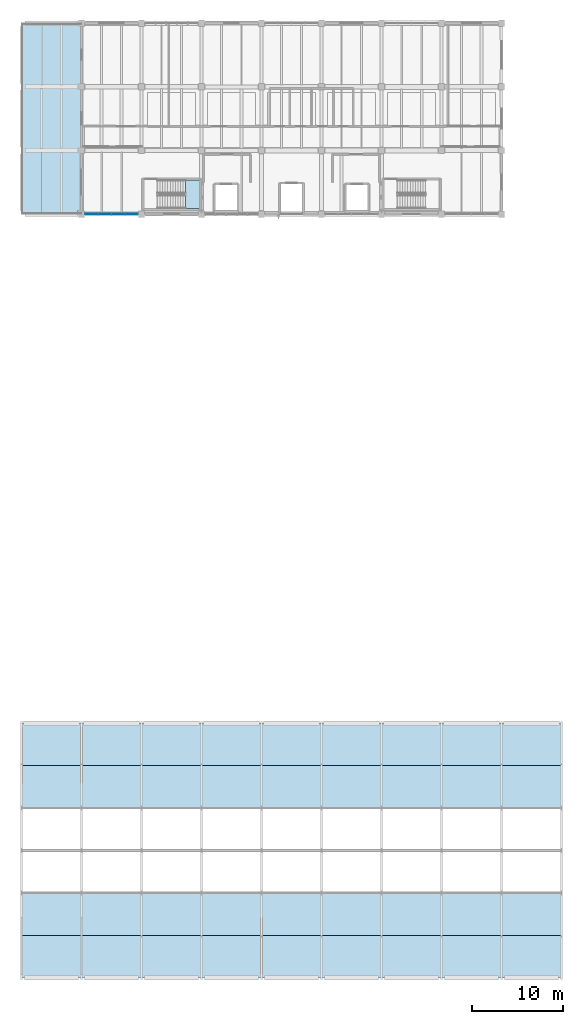
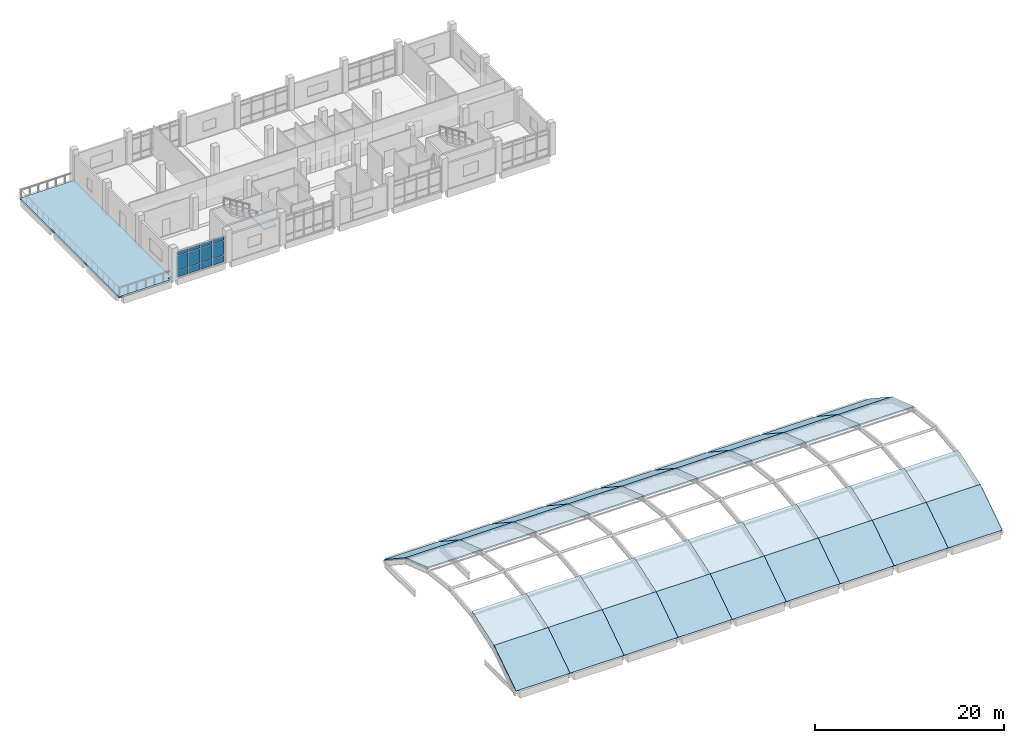
# One storey, part 8 of 20: 38 slabs, 12 plates, 3 elements without a shape of their own.
"""IFC4 building model written with IfcOpenShell, lengths in metres."""

from ifc_helpers import new_model, si_unit, direction, frame, origin, origin_2d, place, context, subcontext, project, spatial, polyline, rectangle, outline, extrude, material, layer, layer_set, type_object, element, aggregate, save


model = new_model("IFC4")

# Units and contexts
model_context = context("Model", 3, precision=1e-05, world=origin(), true_north=direction((0.0, 1.0)))
body_context = subcontext(model_context, "Body", "Model", "MODEL_VIEW")
ifc_project = project(units=[si_unit("LENGTHUNIT", "METRE"), si_unit("AREAUNIT", "SQUARE_METRE"), si_unit("VOLUMEUNIT", "CUBIC_METRE"), si_unit("PLANEANGLEUNIT", "RADIAN"), si_unit("MASSUNIT", "GRAM", prefix="KILO")], contexts=[model_context])

# Site, building, storey
site_placement = place(None, origin())
site = spatial("IfcSite", under=ifc_project, at=site_placement, CompositionType="ELEMENT")
building_placement = place(site_placement, origin())
building = spatial("IfcBuilding", under=site, at=building_placement, Name="Ciguamira Faculty of Natural Sciences", CompositionType="ELEMENT")
storey_placement = place(building_placement, frame((0.0, 0.0, 21.0)))
storey = spatial("IfcBuildingStorey", under=building, at=storey_placement, Name="L05", CompositionType="ELEMENT", Elevation=21.0)

# Curtain wall, plates
ifc_material_1 = material(Name="Anodized aluminium curtain wall", Category="aluminium")
curtain_wall_type = type_object("IfcCurtainWallType", Name="CurtainWall_CW-02", PredefinedType="USERDEFINED", material=ifc_material_1)
curtain_wall_placement = place(storey_placement, origin())
curtain_wall = element("IfcCurtainWall", 1, at=curtain_wall_placement, inside=storey, type_object=curtain_wall_type, Name="L05 unitised curtain wall 0134", ObjectType="UNITISED CURTAIN WALL", PredefinedType="USERDEFINED")
ifc_material_2 = material(Name="Low-E laminated solar glass", Category="glass")
ifc_layer_1 = layer(ifc_material_2, 0.035888671875, Name="Low-E laminated solar glass")
ifc_layer_set_1 = layer_set([ifc_layer_1], Name="Low-E laminated solar glass")
plate_type = type_object("IfcPlateType", Name="CWPanel_CWP-02", PredefinedType="CURTAIN_PANEL", material=ifc_layer_set_1)
plate_1_placement = place(storey_placement, frame((65.0048828125, 94.0, 0.070068359375), z_axis=(0.0, 0.0, 1.0), x_axis=(1.0, 0.0, 0.0)))
plate_1 = element("IfcPlate", 2, at=plate_1_placement, type_object=plate_type, Name="CW-02 panel 1.1", PredefinedType="CURTAIN_PANEL", context=body_context, shape_type="SweptSolid", body=[
    extrude(rectangle(XDim=1.3701171875, YDim=0.035888671875, at=origin_2d()), origin(), (0.0, 0.0, 1.0), 0.794921875),
])
plate_2_placement = place(storey_placement, frame((65.0048828125, 94.0, 0.93505859375), z_axis=(0.0, 0.0, 1.0), x_axis=(1.0, 0.0, 0.0)))
plate_2 = element("IfcPlate", 3, at=plate_2_placement, type_object=plate_type, Name="CW-02 panel 1.2", PredefinedType="CURTAIN_PANEL", context=body_context, shape_type="SweptSolid", body=[
    extrude(rectangle(XDim=1.3701171875, YDim=0.035888671875, at=origin_2d()), origin(), (0.0, 0.0, 1.0), 1.864990234375),
])
plate_3_placement = place(storey_placement, frame((65.0048828125, 94.0, 2.8701171875), z_axis=(0.0, 0.0, 1.0), x_axis=(1.0, 0.0, 0.0)))
plate_3 = element("IfcPlate", 4, at=plate_3_placement, type_object=plate_type, Name="CW-02 panel 1.3", PredefinedType="CURTAIN_PANEL", context=body_context, shape_type="SweptSolid", body=[
    extrude(rectangle(XDim=1.3701171875, YDim=0.035888671875, at=origin_2d()), origin(), (0.0, 0.0, 1.0), 0.445068359375),
])
plate_4_placement = place(storey_placement, frame((66.46240234375, 94.0, 0.070068359375), z_axis=(0.0, 0.0, 1.0), x_axis=(1.0, 0.0, 0.0)))
plate_4 = element("IfcPlate", 5, at=plate_4_placement, type_object=plate_type, Name="CW-02 panel 2.1", PredefinedType="CURTAIN_PANEL", context=body_context, shape_type="SweptSolid", body=[
    extrude(rectangle(XDim=1.405029296875, YDim=0.035888671875, at=origin_2d()), origin(), (0.0, 0.0, 1.0), 0.794921875),
])
plate_5_placement = place(storey_placement, frame((66.46240234375, 94.0, 0.93505859375), z_axis=(0.0, 0.0, 1.0), x_axis=(1.0, 0.0, 0.0)))
plate_5 = element("IfcPlate", 6, at=plate_5_placement, type_object=plate_type, Name="CW-02 panel 2.2", PredefinedType="CURTAIN_PANEL", context=body_context, shape_type="SweptSolid", body=[
    extrude(rectangle(XDim=1.405029296875, YDim=0.035888671875, at=origin_2d()), origin(), (0.0, 0.0, 1.0), 1.864990234375),
])
plate_6_placement = place(storey_placement, frame((66.46240234375, 94.0, 2.8701171875), z_axis=(0.0, 0.0, 1.0), x_axis=(1.0, 0.0, 0.0)))
plate_6 = element("IfcPlate", 7, at=plate_6_placement, type_object=plate_type, Name="CW-02 panel 2.3", PredefinedType="CURTAIN_PANEL", context=body_context, shape_type="SweptSolid", body=[
    extrude(rectangle(XDim=1.405029296875, YDim=0.035888671875, at=origin_2d()), origin(), (0.0, 0.0, 1.0), 0.445068359375),
])
plate_7_placement = place(storey_placement, frame((67.9375, 94.0, 0.070068359375), z_axis=(0.0, 0.0, 1.0), x_axis=(1.0, 0.0, 0.0)))
plate_7 = element("IfcPlate", 8, at=plate_7_placement, type_object=plate_type, Name="CW-02 panel 3.1", PredefinedType="CURTAIN_PANEL", context=body_context, shape_type="SweptSolid", body=[
    extrude(rectangle(XDim=1.405029296875, YDim=0.035888671875, at=origin_2d()), origin(), (0.0, 0.0, 1.0), 0.794921875),
])
plate_8_placement = place(storey_placement, frame((67.9375, 94.0, 0.93505859375), z_axis=(0.0, 0.0, 1.0), x_axis=(1.0, 0.0, 0.0)))
plate_8 = element("IfcPlate", 9, at=plate_8_placement, type_object=plate_type, Name="CW-02 panel 3.2", PredefinedType="CURTAIN_PANEL", context=body_context, shape_type="SweptSolid", body=[
    extrude(rectangle(XDim=1.405029296875, YDim=0.035888671875, at=origin_2d()), origin(), (0.0, 0.0, 1.0), 1.864990234375),
])
plate_9_placement = place(storey_placement, frame((67.9375, 94.0, 2.8701171875), z_axis=(0.0, 0.0, 1.0), x_axis=(1.0, 0.0, 0.0)))
plate_9 = element("IfcPlate", 10, at=plate_9_placement, type_object=plate_type, Name="CW-02 panel 3.3", PredefinedType="CURTAIN_PANEL", context=body_context, shape_type="SweptSolid", body=[
    extrude(rectangle(XDim=1.405029296875, YDim=0.035888671875, at=origin_2d()), origin(), (0.0, 0.0, 1.0), 0.445068359375),
])
plate_10_placement = place(storey_placement, frame((69.39501953125, 94.0, 0.070068359375), z_axis=(0.0, 0.0, 1.0), x_axis=(1.0, 0.0, 0.0)))
plate_10 = element("IfcPlate", 11, at=plate_10_placement, type_object=plate_type, Name="CW-02 panel 4.1", PredefinedType="CURTAIN_PANEL", context=body_context, shape_type="SweptSolid", body=[
    extrude(rectangle(XDim=1.3701171875, YDim=0.035888671875, at=origin_2d()), origin(), (0.0, 0.0, 1.0), 0.794921875),
])
plate_11_placement = place(storey_placement, frame((69.39501953125, 94.0, 0.93505859375), z_axis=(0.0, 0.0, 1.0), x_axis=(1.0, 0.0, 0.0)))
plate_11 = element("IfcPlate", 12, at=plate_11_placement, type_object=plate_type, Name="CW-02 panel 4.2", PredefinedType="CURTAIN_PANEL", context=body_context, shape_type="SweptSolid", body=[
    extrude(rectangle(XDim=1.3701171875, YDim=0.035888671875, at=origin_2d()), origin(), (0.0, 0.0, 1.0), 1.864990234375),
])
plate_12_placement = place(storey_placement, frame((69.39501953125, 94.0, 2.8701171875), z_axis=(0.0, 0.0, 1.0), x_axis=(1.0, 0.0, 0.0)))
plate_12 = element("IfcPlate", 13, at=plate_12_placement, type_object=plate_type, Name="CW-02 panel 4.3", PredefinedType="CURTAIN_PANEL", context=body_context, shape_type="SweptSolid", body=[
    extrude(rectangle(XDim=1.3701171875, YDim=0.035888671875, at=origin_2d()), origin(), (0.0, 0.0, 1.0), 0.445068359375),
])
aggregate(curtain_wall, [plate_1, plate_2, plate_3, plate_4, plate_5, plate_6, plate_7, plate_8, plate_9, plate_10, plate_11, plate_12])

# Roof, slabs
ifc_material_3 = material(Name="Concrete C40/50", Category="concrete")
roof_type = type_object("IfcRoofType", Name="RoofSys_RF-SHL", PredefinedType="FREEFORM", material=ifc_material_3)
roof_placement = place(storey_placement, origin())
roof = element("IfcRoof", 14, at=roof_placement, inside=storey, type_object=roof_type, Name="Atrium Curved Clerestory Shell Roof", PredefinedType="FREEFORM")
ifc_layer_2 = layer(ifc_material_3, 0.159912109375, Name="Concrete C40/50")
ifc_layer_set_2 = layer_set([ifc_layer_2], Name="Concrete C40/50")
slab_type_1 = type_object("IfcSlabType", Name="Slab_SR-02_160", PredefinedType="ROOF", material=ifc_layer_set_2)
slab_1_placement = place(storey_placement, frame((57.300048828125, 10.0, 0.0), z_axis=(0.0, -0.552302591485, 0.833643717327), x_axis=(1.0, 0.0, 0.0)))
slab_1 = element("IfcSlab", 15, at=slab_1_placement, type_object=slab_type_1, Name="V3 atrium curved shell strip 01-S01", PredefinedType="ROOF", context=body_context, shape_type="SweptSolid", body=[
    extrude(outline(polyline([(0.0, 0.0), (6.599853515625, 0.0), (6.599853515625, 5.5980126160336035), (0.0, 5.5980126160336035), (0.0, 0.0)])), origin(), (0.0, 0.0, -1.0), 0.159912109375),
])
slab_2_placement = place(storey_placement, frame((57.300048828125, 14.666748046875, 3.091796875), z_axis=(0.0, -0.320046727777, 0.947401758516), x_axis=(1.0, 0.0, 0.0)))
slab_2 = element("IfcSlab", 16, at=slab_2_placement, type_object=slab_type_1, Name="V3 atrium curved shell strip 01-S02", PredefinedType="ROOF", context=body_context, shape_type="SweptSolid", body=[
    extrude(outline(polyline([(0.0, 0.0), (6.599853515625, 0.0), (6.599853515625, 4.925580794319133), (0.0, 4.925580794319133), (0.0, 0.0)])), origin(), (0.0, 0.0, -1.0), 0.159912109375),
])
slab_3_placement = place(storey_placement, frame((57.300048828125, 28.666748046875, 4.668212890625), z_axis=(0.0, 0.320046727777, 0.947401758516), x_axis=(1.0, 0.0, 0.0)))
slab_3 = element("IfcSlab", 17, at=slab_3_placement, type_object=slab_type_1, Name="V3 atrium curved shell strip 01-S05", PredefinedType="ROOF", context=body_context, shape_type="SweptSolid", body=[
    extrude(outline(polyline([(0.0, 0.0), (6.599853515625, 0.0), (6.599853515625, 4.925580794319133), (0.0, 4.925580794319133), (0.0, 0.0)])), origin(), (0.0, 0.0, -1.0), 0.159912109375),
])
slab_4_placement = place(storey_placement, frame((57.300048828125, 33.333251953125, 3.091796875), z_axis=(0.0, 0.552302591485, 0.833643717327), x_axis=(1.0, 0.0, 0.0)))
slab_4 = element("IfcSlab", 18, at=slab_4_placement, type_object=slab_type_1, Name="V3 atrium curved shell strip 01-S06", PredefinedType="ROOF", context=body_context, shape_type="SweptSolid", body=[
    extrude(outline(polyline([(0.0, 0.0), (6.599853515625, 0.0), (6.599853515625, 5.5980126160336035), (0.0, 5.5980126160336035), (0.0, 0.0)])), origin(), (0.0, 0.0, -1.0), 0.159912109375),
])
slab_5_placement = place(storey_placement, frame((63.89990234375, 10.0, 0.0), z_axis=(0.0, -0.552302591485, 0.833643717327), x_axis=(1.0, 0.0, 0.0)))
slab_5 = element("IfcSlab", 19, at=slab_5_placement, type_object=slab_type_1, Name="V3 atrium curved shell strip 02-S01", PredefinedType="ROOF", context=body_context, shape_type="SweptSolid", body=[
    extrude(outline(polyline([(0.0, 0.0), (6.60009765625, 0.0), (6.60009765625, 5.598012616033604), (0.0, 5.598012616033604), (0.0, 0.0)])), origin(), (0.0, 0.0, -1.0), 0.159912109375),
])
slab_6_placement = place(storey_placement, frame((63.89990234375, 14.666748046875, 3.091796875), z_axis=(0.0, -0.320046727777, 0.947401758516), x_axis=(1.0, 0.0, 0.0)))
slab_6 = element("IfcSlab", 20, at=slab_6_placement, type_object=slab_type_1, Name="V3 atrium curved shell strip 02-S02", PredefinedType="ROOF", context=body_context, shape_type="SweptSolid", body=[
    extrude(outline(polyline([(0.0, 0.0), (6.60009765625, 0.0), (6.60009765625, 4.925580794319134), (0.0, 4.925580794319134), (0.0, 0.0)])), origin(), (0.0, 0.0, -1.0), 0.159912109375),
])
slab_7_placement = place(storey_placement, frame((63.89990234375, 28.666748046875, 4.668212890625), z_axis=(0.0, 0.320046727777, 0.947401758516), x_axis=(1.0, 0.0, 0.0)))
slab_7 = element("IfcSlab", 21, at=slab_7_placement, type_object=slab_type_1, Name="V3 atrium curved shell strip 02-S05", PredefinedType="ROOF", context=body_context, shape_type="SweptSolid", body=[
    extrude(outline(polyline([(0.0, 0.0), (6.60009765625, 0.0), (6.60009765625, 4.925580794319134), (0.0, 4.925580794319134), (0.0, 0.0)])), origin(), (0.0, 0.0, -1.0), 0.159912109375),
])
slab_8_placement = place(storey_placement, frame((63.89990234375, 33.333251953125, 3.091796875), z_axis=(0.0, 0.552302591485, 0.833643717327), x_axis=(1.0, 0.0, 0.0)))
slab_8 = element("IfcSlab", 22, at=slab_8_placement, type_object=slab_type_1, Name="V3 atrium curved shell strip 02-S06", PredefinedType="ROOF", context=body_context, shape_type="SweptSolid", body=[
    extrude(outline(polyline([(0.0, 0.0), (6.60009765625, 0.0), (6.60009765625, 5.598012616033604), (0.0, 5.598012616033604), (0.0, 0.0)])), origin(), (0.0, 0.0, -1.0), 0.159912109375),
])
slab_9_placement = place(storey_placement, frame((70.5, 10.0, 0.0), z_axis=(0.0, -0.552302591485, 0.833643717327), x_axis=(1.0, 0.0, 0.0)))
slab_9 = element("IfcSlab", 23, at=slab_9_placement, type_object=slab_type_1, Name="V3 atrium curved shell strip 03-S01", PredefinedType="ROOF", context=body_context, shape_type="SweptSolid", body=[
    extrude(outline(polyline([(0.0, 0.0), (6.60009765625, 0.0), (6.60009765625, 5.598012616033604), (0.0, 5.598012616033604), (0.0, 0.0)])), origin(), (0.0, 0.0, -1.0), 0.159912109375),
])
slab_10_placement = place(storey_placement, frame((70.5, 14.666748046875, 3.091796875), z_axis=(0.0, -0.320046727777, 0.947401758516), x_axis=(1.0, 0.0, 0.0)))
slab_10 = element("IfcSlab", 24, at=slab_10_placement, type_object=slab_type_1, Name="V3 atrium curved shell strip 03-S02", PredefinedType="ROOF", context=body_context, shape_type="SweptSolid", body=[
    extrude(outline(polyline([(0.0, 0.0), (6.60009765625, 0.0), (6.60009765625, 4.925580794319134), (0.0, 4.925580794319134), (0.0, 0.0)])), origin(), (0.0, 0.0, -1.0), 0.159912109375),
])
slab_11_placement = place(storey_placement, frame((70.5, 28.666748046875, 4.668212890625), z_axis=(0.0, 0.320046727777, 0.947401758516), x_axis=(1.0, 0.0, 0.0)))
slab_11 = element("IfcSlab", 25, at=slab_11_placement, type_object=slab_type_1, Name="V3 atrium curved shell strip 03-S05", PredefinedType="ROOF", context=body_context, shape_type="SweptSolid", body=[
    extrude(outline(polyline([(0.0, 0.0), (6.60009765625, 0.0), (6.60009765625, 4.925580794319134), (0.0, 4.925580794319134), (0.0, 0.0)])), origin(), (0.0, 0.0, -1.0), 0.159912109375),
])
slab_12_placement = place(storey_placement, frame((70.5, 33.333251953125, 3.091796875), z_axis=(0.0, 0.552302591485, 0.833643717327), x_axis=(1.0, 0.0, 0.0)))
slab_12 = element("IfcSlab", 26, at=slab_12_placement, type_object=slab_type_1, Name="V3 atrium curved shell strip 03-S06", PredefinedType="ROOF", context=body_context, shape_type="SweptSolid", body=[
    extrude(outline(polyline([(0.0, 0.0), (6.60009765625, 0.0), (6.60009765625, 5.598012616033604), (0.0, 5.598012616033604), (0.0, 0.0)])), origin(), (0.0, 0.0, -1.0), 0.159912109375),
])
slab_13_placement = place(storey_placement, frame((77.10009765625, 10.0, 0.0), z_axis=(0.0, -0.552302591485, 0.833643717327), x_axis=(1.0, 0.0, 0.0)))
slab_13 = element("IfcSlab", 27, at=slab_13_placement, type_object=slab_type_1, Name="V3 atrium curved shell strip 04-S01", PredefinedType="ROOF", context=body_context, shape_type="SweptSolid", body=[
    extrude(outline(polyline([(0.0, 0.0), (6.599853515625, 0.0), (6.599853515625, 5.5980126160336035), (0.0, 5.5980126160336035), (0.0, 0.0)])), origin(), (0.0, 0.0, -1.0), 0.159912109375),
])
slab_14_placement = place(storey_placement, frame((77.10009765625, 14.666748046875, 3.091796875), z_axis=(0.0, -0.320046727777, 0.947401758516), x_axis=(1.0, 0.0, 0.0)))
slab_14 = element("IfcSlab", 28, at=slab_14_placement, type_object=slab_type_1, Name="V3 atrium curved shell strip 04-S02", PredefinedType="ROOF", context=body_context, shape_type="SweptSolid", body=[
    extrude(outline(polyline([(0.0, 0.0), (6.599853515625, 0.0), (6.599853515625, 4.925580794319133), (0.0, 4.925580794319133), (0.0, 0.0)])), origin(), (0.0, 0.0, -1.0), 0.159912109375),
])
slab_15_placement = place(storey_placement, frame((77.10009765625, 28.666748046875, 4.668212890625), z_axis=(0.0, 0.320046727777, 0.947401758516), x_axis=(1.0, 0.0, 0.0)))
slab_15 = element("IfcSlab", 29, at=slab_15_placement, type_object=slab_type_1, Name="V3 atrium curved shell strip 04-S05", PredefinedType="ROOF", context=body_context, shape_type="SweptSolid", body=[
    extrude(outline(polyline([(0.0, 0.0), (6.599853515625, 0.0), (6.599853515625, 4.925580794319133), (0.0, 4.925580794319133), (0.0, 0.0)])), origin(), (0.0, 0.0, -1.0), 0.159912109375),
])
slab_16_placement = place(storey_placement, frame((77.10009765625, 33.333251953125, 3.091796875), z_axis=(0.0, 0.552302591485, 0.833643717327), x_axis=(1.0, 0.0, 0.0)))
slab_16 = element("IfcSlab", 30, at=slab_16_placement, type_object=slab_type_1, Name="V3 atrium curved shell strip 04-S06", PredefinedType="ROOF", context=body_context, shape_type="SweptSolid", body=[
    extrude(outline(polyline([(0.0, 0.0), (6.599853515625, 0.0), (6.599853515625, 5.5980126160336035), (0.0, 5.5980126160336035), (0.0, 0.0)])), origin(), (0.0, 0.0, -1.0), 0.159912109375),
])
slab_17_placement = place(storey_placement, frame((83.699951171875, 10.0, 0.0), z_axis=(0.0, -0.552302591485, 0.833643717327), x_axis=(1.0, 0.0, 0.0)))
slab_17 = element("IfcSlab", 31, at=slab_17_placement, type_object=slab_type_1, Name="V3 atrium curved shell strip 05-S01", PredefinedType="ROOF", context=body_context, shape_type="SweptSolid", body=[
    extrude(outline(polyline([(0.0, 0.0), (6.60009765625, 0.0), (6.60009765625, 5.598012616033604), (0.0, 5.598012616033604), (0.0, 0.0)])), origin(), (0.0, 0.0, -1.0), 0.159912109375),
])
slab_18_placement = place(storey_placement, frame((83.699951171875, 14.666748046875, 3.091796875), z_axis=(0.0, -0.320046727777, 0.947401758516), x_axis=(1.0, 0.0, 0.0)))
slab_18 = element("IfcSlab", 32, at=slab_18_placement, type_object=slab_type_1, Name="V3 atrium curved shell strip 05-S02", PredefinedType="ROOF", context=body_context, shape_type="SweptSolid", body=[
    extrude(outline(polyline([(0.0, 0.0), (6.60009765625, 0.0), (6.60009765625, 4.925580794319134), (0.0, 4.925580794319134), (0.0, 0.0)])), origin(), (0.0, 0.0, -1.0), 0.159912109375),
])
slab_19_placement = place(storey_placement, frame((83.699951171875, 28.666748046875, 4.668212890625), z_axis=(0.0, 0.320046727777, 0.947401758516), x_axis=(1.0, 0.0, 0.0)))
slab_19 = element("IfcSlab", 33, at=slab_19_placement, type_object=slab_type_1, Name="V3 atrium curved shell strip 05-S05", PredefinedType="ROOF", context=body_context, shape_type="SweptSolid", body=[
    extrude(outline(polyline([(0.0, 0.0), (6.60009765625, 0.0), (6.60009765625, 4.925580794319134), (0.0, 4.925580794319134), (0.0, 0.0)])), origin(), (0.0, 0.0, -1.0), 0.159912109375),
])
slab_20_placement = place(storey_placement, frame((83.699951171875, 33.333251953125, 3.091796875), z_axis=(0.0, 0.552302591485, 0.833643717327), x_axis=(1.0, 0.0, 0.0)))
slab_20 = element("IfcSlab", 34, at=slab_20_placement, type_object=slab_type_1, Name="V3 atrium curved shell strip 05-S06", PredefinedType="ROOF", context=body_context, shape_type="SweptSolid", body=[
    extrude(outline(polyline([(0.0, 0.0), (6.60009765625, 0.0), (6.60009765625, 5.598012616033604), (0.0, 5.598012616033604), (0.0, 0.0)])), origin(), (0.0, 0.0, -1.0), 0.159912109375),
])
slab_21_placement = place(storey_placement, frame((90.300048828125, 10.0, 0.0), z_axis=(0.0, -0.552302591485, 0.833643717327), x_axis=(1.0, 0.0, 0.0)))
slab_21 = element("IfcSlab", 35, at=slab_21_placement, type_object=slab_type_1, Name="V3 atrium curved shell strip 06-S01", PredefinedType="ROOF", context=body_context, shape_type="SweptSolid", body=[
    extrude(outline(polyline([(0.0, 0.0), (6.599853515625, 0.0), (6.599853515625, 5.5980126160336035), (0.0, 5.5980126160336035), (0.0, 0.0)])), origin(), (0.0, 0.0, -1.0), 0.159912109375),
])
slab_22_placement = place(storey_placement, frame((90.300048828125, 14.666748046875, 3.091796875), z_axis=(0.0, -0.320046727777, 0.947401758516), x_axis=(1.0, 0.0, 0.0)))
slab_22 = element("IfcSlab", 36, at=slab_22_placement, type_object=slab_type_1, Name="V3 atrium curved shell strip 06-S02", PredefinedType="ROOF", context=body_context, shape_type="SweptSolid", body=[
    extrude(outline(polyline([(0.0, 0.0), (6.599853515625, 0.0), (6.599853515625, 4.925580794319133), (0.0, 4.925580794319133), (0.0, 0.0)])), origin(), (0.0, 0.0, -1.0), 0.159912109375),
])
slab_23_placement = place(storey_placement, frame((90.300048828125, 28.666748046875, 4.668212890625), z_axis=(0.0, 0.320046727777, 0.947401758516), x_axis=(1.0, 0.0, 0.0)))
slab_23 = element("IfcSlab", 37, at=slab_23_placement, type_object=slab_type_1, Name="V3 atrium curved shell strip 06-S05", PredefinedType="ROOF", context=body_context, shape_type="SweptSolid", body=[
    extrude(outline(polyline([(0.0, 0.0), (6.599853515625, 0.0), (6.599853515625, 4.925580794319133), (0.0, 4.925580794319133), (0.0, 0.0)])), origin(), (0.0, 0.0, -1.0), 0.159912109375),
])
slab_24_placement = place(storey_placement, frame((90.300048828125, 33.333251953125, 3.091796875), z_axis=(0.0, 0.552302591485, 0.833643717327), x_axis=(1.0, 0.0, 0.0)))
slab_24 = element("IfcSlab", 38, at=slab_24_placement, type_object=slab_type_1, Name="V3 atrium curved shell strip 06-S06", PredefinedType="ROOF", context=body_context, shape_type="SweptSolid", body=[
    extrude(outline(polyline([(0.0, 0.0), (6.599853515625, 0.0), (6.599853515625, 5.5980126160336035), (0.0, 5.5980126160336035), (0.0, 0.0)])), origin(), (0.0, 0.0, -1.0), 0.159912109375),
])
slab_25_placement = place(storey_placement, frame((96.89990234375, 10.0, 0.0), z_axis=(0.0, -0.552302591485, 0.833643717327), x_axis=(1.0, 0.0, 0.0)))
slab_25 = element("IfcSlab", 39, at=slab_25_placement, type_object=slab_type_1, Name="V3 atrium curved shell strip 07-S01", PredefinedType="ROOF", context=body_context, shape_type="SweptSolid", body=[
    extrude(outline(polyline([(0.0, 0.0), (6.60009765625, 0.0), (6.60009765625, 5.598012616033604), (0.0, 5.598012616033604), (0.0, 0.0)])), origin(), (0.0, 0.0, -1.0), 0.159912109375),
])
slab_26_placement = place(storey_placement, frame((96.89990234375, 14.666748046875, 3.091796875), z_axis=(0.0, -0.320046727777, 0.947401758516), x_axis=(1.0, 0.0, 0.0)))
slab_26 = element("IfcSlab", 40, at=slab_26_placement, type_object=slab_type_1, Name="V3 atrium curved shell strip 07-S02", PredefinedType="ROOF", context=body_context, shape_type="SweptSolid", body=[
    extrude(outline(polyline([(0.0, 0.0), (6.60009765625, 0.0), (6.60009765625, 4.925580794319134), (0.0, 4.925580794319134), (0.0, 0.0)])), origin(), (0.0, 0.0, -1.0), 0.159912109375),
])
slab_27_placement = place(storey_placement, frame((96.89990234375, 28.666748046875, 4.668212890625), z_axis=(0.0, 0.320046727777, 0.947401758516), x_axis=(1.0, 0.0, 0.0)))
slab_27 = element("IfcSlab", 41, at=slab_27_placement, type_object=slab_type_1, Name="V3 atrium curved shell strip 07-S05", PredefinedType="ROOF", context=body_context, shape_type="SweptSolid", body=[
    extrude(outline(polyline([(0.0, 0.0), (6.60009765625, 0.0), (6.60009765625, 4.925580794319134), (0.0, 4.925580794319134), (0.0, 0.0)])), origin(), (0.0, 0.0, -1.0), 0.159912109375),
])
slab_28_placement = place(storey_placement, frame((96.89990234375, 33.333251953125, 3.091796875), z_axis=(0.0, 0.552302591485, 0.833643717327), x_axis=(1.0, 0.0, 0.0)))
slab_28 = element("IfcSlab", 42, at=slab_28_placement, type_object=slab_type_1, Name="V3 atrium curved shell strip 07-S06", PredefinedType="ROOF", context=body_context, shape_type="SweptSolid", body=[
    extrude(outline(polyline([(0.0, 0.0), (6.60009765625, 0.0), (6.60009765625, 5.598012616033604), (0.0, 5.598012616033604), (0.0, 0.0)])), origin(), (0.0, 0.0, -1.0), 0.159912109375),
])
slab_29_placement = place(storey_placement, frame((103.5, 10.0, 0.0), z_axis=(0.0, -0.552302591485, 0.833643717327), x_axis=(1.0, 0.0, 0.0)))
slab_29 = element("IfcSlab", 43, at=slab_29_placement, type_object=slab_type_1, Name="V3 atrium curved shell strip 08-S01", PredefinedType="ROOF", context=body_context, shape_type="SweptSolid", body=[
    extrude(outline(polyline([(0.0, 0.0), (6.60009765625, 0.0), (6.60009765625, 5.598012616033604), (0.0, 5.598012616033604), (0.0, 0.0)])), origin(), (0.0, 0.0, -1.0), 0.159912109375),
])
slab_30_placement = place(storey_placement, frame((103.5, 14.666748046875, 3.091796875), z_axis=(0.0, -0.320046727777, 0.947401758516), x_axis=(1.0, 0.0, 0.0)))
slab_30 = element("IfcSlab", 44, at=slab_30_placement, type_object=slab_type_1, Name="V3 atrium curved shell strip 08-S02", PredefinedType="ROOF", context=body_context, shape_type="SweptSolid", body=[
    extrude(outline(polyline([(0.0, 0.0), (6.60009765625, 0.0), (6.60009765625, 4.925580794319134), (0.0, 4.925580794319134), (0.0, 0.0)])), origin(), (0.0, 0.0, -1.0), 0.159912109375),
])
slab_31_placement = place(storey_placement, frame((103.5, 28.666748046875, 4.668212890625), z_axis=(0.0, 0.320046727777, 0.947401758516), x_axis=(1.0, 0.0, 0.0)))
slab_31 = element("IfcSlab", 45, at=slab_31_placement, type_object=slab_type_1, Name="V3 atrium curved shell strip 08-S05", PredefinedType="ROOF", context=body_context, shape_type="SweptSolid", body=[
    extrude(outline(polyline([(0.0, 0.0), (6.60009765625, 0.0), (6.60009765625, 4.925580794319134), (0.0, 4.925580794319134), (0.0, 0.0)])), origin(), (0.0, 0.0, -1.0), 0.159912109375),
])
slab_32_placement = place(storey_placement, frame((103.5, 33.333251953125, 3.091796875), z_axis=(0.0, 0.552302591485, 0.833643717327), x_axis=(1.0, 0.0, 0.0)))
slab_32 = element("IfcSlab", 46, at=slab_32_placement, type_object=slab_type_1, Name="V3 atrium curved shell strip 08-S06", PredefinedType="ROOF", context=body_context, shape_type="SweptSolid", body=[
    extrude(outline(polyline([(0.0, 0.0), (6.60009765625, 0.0), (6.60009765625, 5.598012616033604), (0.0, 5.598012616033604), (0.0, 0.0)])), origin(), (0.0, 0.0, -1.0), 0.159912109375),
])
slab_33_placement = place(storey_placement, frame((110.10009765625, 10.0, 0.0), z_axis=(0.0, -0.552302591485, 0.833643717327), x_axis=(1.0, 0.0, 0.0)))
slab_33 = element("IfcSlab", 47, at=slab_33_placement, type_object=slab_type_1, Name="V3 atrium curved shell strip 09-S01", PredefinedType="ROOF", context=body_context, shape_type="SweptSolid", body=[
    extrude(outline(polyline([(0.0, 0.0), (6.599853515625, 0.0), (6.599853515625, 5.5980126160336035), (0.0, 5.5980126160336035), (0.0, 0.0)])), origin(), (0.0, 0.0, -1.0), 0.159912109375),
])
slab_34_placement = place(storey_placement, frame((110.10009765625, 14.666748046875, 3.091796875), z_axis=(0.0, -0.320046727777, 0.947401758516), x_axis=(1.0, 0.0, 0.0)))
slab_34 = element("IfcSlab", 48, at=slab_34_placement, type_object=slab_type_1, Name="V3 atrium curved shell strip 09-S02", PredefinedType="ROOF", context=body_context, shape_type="SweptSolid", body=[
    extrude(outline(polyline([(0.0, 0.0), (6.599853515625, 0.0), (6.599853515625, 4.925580794319133), (0.0, 4.925580794319133), (0.0, 0.0)])), origin(), (0.0, 0.0, -1.0), 0.159912109375),
])
slab_35_placement = place(storey_placement, frame((110.10009765625, 28.666748046875, 4.668212890625), z_axis=(0.0, 0.320046727777, 0.947401758516), x_axis=(1.0, 0.0, 0.0)))
slab_35 = element("IfcSlab", 49, at=slab_35_placement, type_object=slab_type_1, Name="V3 atrium curved shell strip 09-S05", PredefinedType="ROOF", context=body_context, shape_type="SweptSolid", body=[
    extrude(outline(polyline([(0.0, 0.0), (6.599853515625, 0.0), (6.599853515625, 4.925580794319133), (0.0, 4.925580794319133), (0.0, 0.0)])), origin(), (0.0, 0.0, -1.0), 0.159912109375),
])
slab_36_placement = place(storey_placement, frame((110.10009765625, 33.333251953125, 3.091796875), z_axis=(0.0, 0.552302591485, 0.833643717327), x_axis=(1.0, 0.0, 0.0)))
slab_36 = element("IfcSlab", 50, at=slab_36_placement, type_object=slab_type_1, Name="V3 atrium curved shell strip 09-S06", PredefinedType="ROOF", context=body_context, shape_type="SweptSolid", body=[
    extrude(outline(polyline([(0.0, 0.0), (6.599853515625, 0.0), (6.599853515625, 5.5980126160336035), (0.0, 5.5980126160336035), (0.0, 0.0)])), origin(), (0.0, 0.0, -1.0), 0.159912109375),
])
aggregate(roof, [slab_1, slab_2, slab_3, slab_4, slab_5, slab_6, slab_7, slab_8, slab_9, slab_10, slab_11, slab_12, slab_13, slab_14, slab_15, slab_16, slab_17, slab_18, slab_19, slab_20, slab_21, slab_22, slab_23, slab_24, slab_25, slab_26, slab_27, slab_28, slab_29, slab_30, slab_31, slab_32, slab_33, slab_34, slab_35, slab_36])

# Slab
ifc_layer_3 = layer(ifc_material_3, 0.199951171875, Name="Concrete C40/50")
ifc_layer_set_3 = layer_set([ifc_layer_3], Name="Concrete C40/50")
slab_type_2 = type_object("IfcSlabType", Name="Slab_ST-01_200", PredefinedType="FLOOR", material=ifc_layer_set_3)
slab_37_placement = place(storey_placement, frame((0.0, 0.0, -0.199951171875)))
element("IfcSlab", 51, at=slab_37_placement, inside=storey, type_object=slab_type_2, Name="L05 Tower West Setback Terrace", PredefinedType="FLOOR", context=body_context, shape_type="SweptSolid", body=[
    extrude(outline(polyline([(57.300048828125, 94.0), (63.5, 94.0), (63.5, 94.39990234375), (63.89990234375, 94.39990234375), (63.89990234375, 115.0), (57.300048828125, 115.0), (57.300048828125, 94.0)])), origin(), (0.0, 0.0, 1.0), 0.199951171875),
])

# Stair, slab
stair_type = type_object("IfcStairType", Name="Stair_STR-01", PredefinedType="HALF_TURN_STAIR", material=ifc_material_3)
stair_placement = place(storey_placement, origin())
stair = element("IfcStair", 52, at=stair_placement, inside=storey, type_object=stair_type, Name="L05 Tower West Exit Stair", PredefinedType="HALF_TURN_STAIR")
ifc_layer_4 = layer(ifc_material_3, 0.199951171875, Name="Concrete C40/50")
ifc_layer_set_4 = layer_set([ifc_layer_4], Name="Concrete C40/50")
slab_type_3 = type_object("IfcSlabType", Name="StairLanding_SLD01", PredefinedType="LANDING", material=ifc_layer_set_4)
slab_38_placement = place(storey_placement, frame((0.0, 0.0, 1.89990234375)))
slab_38 = element("IfcSlab", 53, at=slab_38_placement, type_object=slab_type_3, Name="ST-T1 landing 1", PredefinedType="LANDING", context=body_context, shape_type="SweptSolid", body=[
    extrude(outline(polyline([(75.340087890625, 94.60009765625), (76.85009765625, 94.60009765625), (76.85009765625, 97.760009765625), (75.340087890625, 97.760009765625), (75.340087890625, 94.60009765625)])), origin(), (0.0, 0.0, 1.0), 0.2001953125),
])
aggregate(stair, [slab_38])

save(model, "model.ifc")
